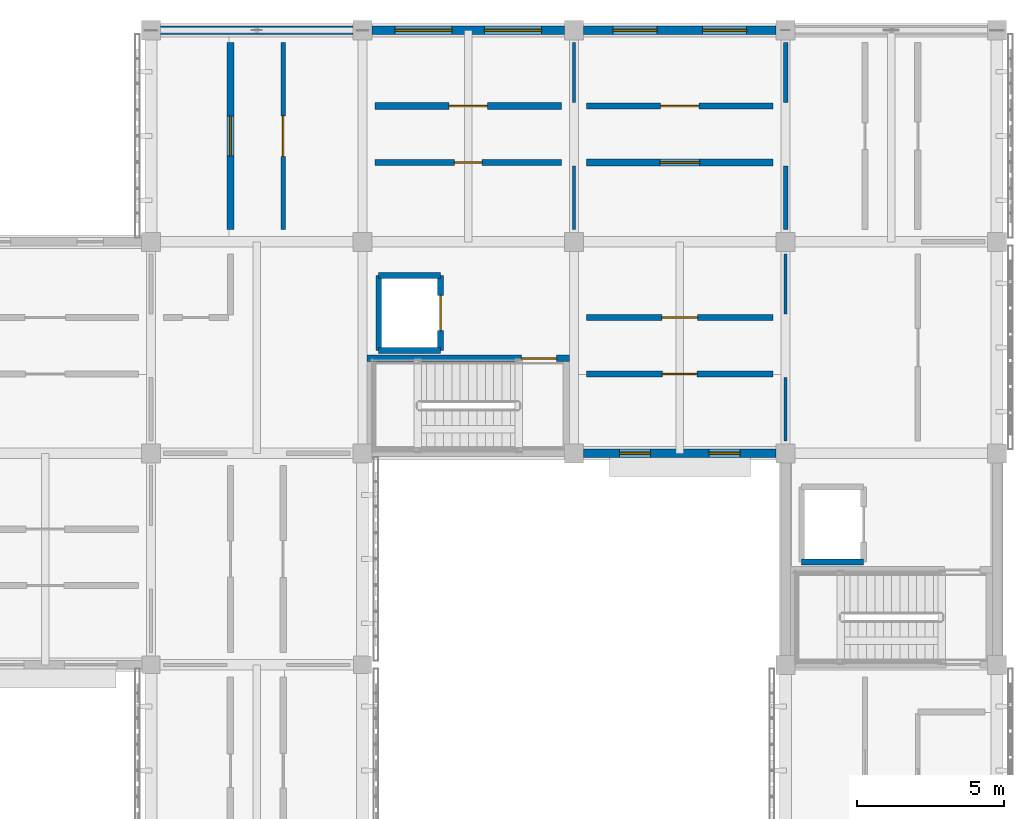
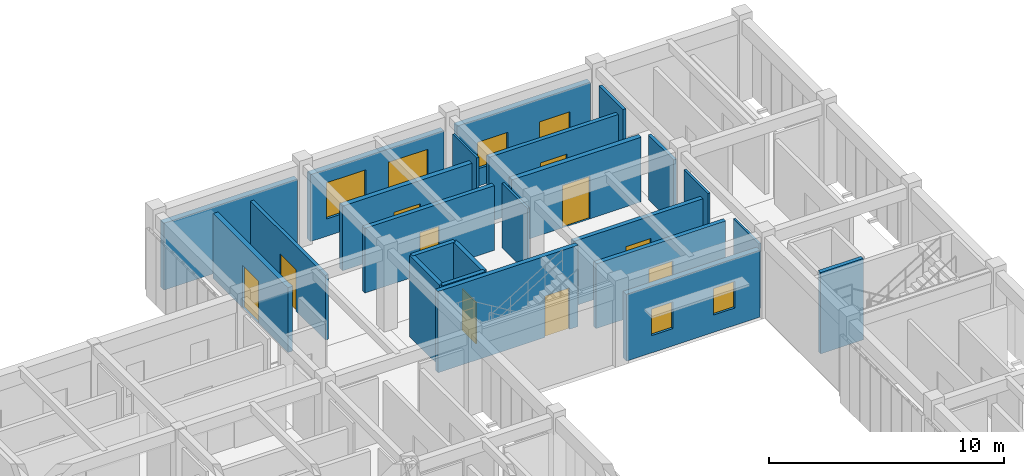
# One storey, part 140 of 171: 24 walls, 10 doors, 6 windows, 16 openings.
"""IFC4 building model written with IfcOpenShell, lengths in metres."""

from ifc_helpers import new_model, si_unit, direction, frame, frame_2d, origin, place, context, subcontext, project, spatial, rectangle, extrude, material, layer, layer_set, type_object, element, fill, save


model = new_model("IFC4")

# Units and contexts
model_context = context("Model", 3, precision=1e-05, world=origin(), true_north=direction((0.0, 1.0)))
body_context = subcontext(model_context, "Body", "Model", "MODEL_VIEW")
ifc_project = project(units=[si_unit("LENGTHUNIT", "METRE"), si_unit("AREAUNIT", "SQUARE_METRE"), si_unit("VOLUMEUNIT", "CUBIC_METRE"), si_unit("PLANEANGLEUNIT", "RADIAN"), si_unit("MASSUNIT", "GRAM", prefix="KILO")], contexts=[model_context])

# Site, building, storey
site_placement = place(None, origin())
site = spatial("IfcSite", under=ifc_project, at=site_placement, CompositionType="ELEMENT")
building_placement = place(site_placement, origin())
building = spatial("IfcBuilding", under=site, at=building_placement, Name="Aldebral Square Health Centre", CompositionType="ELEMENT")
storey_placement = place(building_placement, frame((0.0, 0.0, 4.5)))
storey = spatial("IfcBuildingStorey", under=building, at=storey_placement, Name="L01", CompositionType="ELEMENT", Elevation=4.5)

# Wall
ifc_material_1 = material(Name="Ochre mineral-rendered concrete C35/45 court wall", Category="concrete")
ifc_layer_1 = layer(ifc_material_1, 0.280029296875, Name="Ochre mineral-rendered concrete C35/45 court wall", Category="concrete")
ifc_layer_set_1 = layer_set([ifc_layer_1], Name="Ochre mineral-rendered concrete C35/45 court wall")
wall_type_1 = type_object("IfcWallType", Name="EW-OCH-280", PredefinedType="STANDARD", material=ifc_layer_set_1)
wall_1_placement = place(storey_placement, frame((143.675048828125, 115.199951171875, 0.0), z_axis=(0.0, 0.0, 1.0), x_axis=(-1.0, 0.0, 0.0)))
element("IfcWall", 1, at=wall_1_placement, inside=storey, type_object=wall_type_1, Name="L01 V5 exterior wall L01-V5-19-15-N", PredefinedType="STANDARD", context=body_context, shape_type="SweptSolid", body=[
    extrude(rectangle(XDim=6.550048828125, YDim=0.280029296875, at=frame_2d((3.27490234375, 0.0))), origin(), (0.0, 0.0, 1.0), 3.469970703125),
])

# Wall, openings, windows
wall_2_placement = place(storey_placement, frame((150.875, 115.199951171875, 0.0), z_axis=(0.0, 0.0, 1.0), x_axis=(-1.0, 0.0, 0.0)))
wall_2 = element("IfcWall", 2, at=wall_2_placement, inside=storey, type_object=wall_type_1, Name="L01 V5 exterior wall L01-V5-20-15-N", PredefinedType="STANDARD", context=body_context, shape_type="SweptSolid", body=[
    extrude(rectangle(XDim=6.550048828125, YDim=0.280029296875, at=frame_2d((3.27490234375, 0.0))), origin(), (0.0, 0.0, 1.0), 3.469970703125),
])
opening_1_placement = place(wall_2_placement, frame((0.77490234375, 0.0, 0.89990234375)))
opening_1 = element("IfcOpeningElement", 3, at=opening_1_placement, cuts=wall_2, Name="Opening W53", PredefinedType="OPENING", context=body_context, shape_type="SweptSolid", body=[
    extrude(rectangle(XDim=1.949951171875, YDim=1.8798828125, at=frame_2d((0.97509765625, 0.93994140625))), frame((0.0, 0.14990234375, 0.0), z_axis=(0.0, -1.0, 0.0), x_axis=(1.0, 0.0, 0.0)), (0.0, 0.0, 1.0), 0.300048828125),
])
opening_2_placement = place(wall_2_placement, frame((3.824951171875, 0.0, 0.89990234375)))
opening_2 = element("IfcOpeningElement", 4, at=opening_2_placement, cuts=wall_2, Name="Opening W53", PredefinedType="OPENING", context=body_context, shape_type="SweptSolid", body=[
    extrude(rectangle(XDim=1.949951171875, YDim=1.8798828125, at=frame_2d((0.97509765625, 0.93994140625))), frame((0.0, 0.14990234375, 0.0), z_axis=(0.0, -1.0, 0.0), x_axis=(1.0, 0.0, 0.0)), (0.0, 0.0, 1.0), 0.300048828125),
])
ifc_material_2 = material(Name="Thermally broken aluminium and low-E glass", Category="aluminium")
window_type_1 = type_object("IfcWindowType", Name="WIN-W53", PartitioningType="SINGLE_PANEL", PredefinedType="WINDOW", material=ifc_material_2)
window_1_placement = place(opening_1_placement, origin())
window_1 = element("IfcWindow", 5, at=window_1_placement, inside=storey, type_object=window_type_1, Name="L01 clinical window L01-V5-20-15-N.1", OverallHeight=1.8798828125, OverallWidth=1.949951171875, PartitioningType="SINGLE_PANEL", PredefinedType="WINDOW", context=body_context, shape_type="SweptSolid", body=[
    extrude(rectangle(XDim=1.949951171875, YDim=1.8798828125, at=frame_2d((0.97509765625, 0.93994140625))), frame((0.0, 0.030029296875, 0.0), z_axis=(0.0, -1.0, 0.0), x_axis=(1.0, 0.0, 0.0)), (0.0, 0.0, 1.0), 0.06005859375),
])
fill(opening_1, window_1)
window_2_placement = place(opening_2_placement, origin())
window_2 = element("IfcWindow", 6, at=window_2_placement, inside=storey, type_object=window_type_1, Name="L01 clinical window L01-V5-20-15-N.2", OverallHeight=1.8798828125, OverallWidth=1.949951171875, PartitioningType="SINGLE_PANEL", PredefinedType="WINDOW", context=body_context, shape_type="SweptSolid", body=[
    extrude(rectangle(XDim=1.949951171875, YDim=1.8798828125, at=frame_2d((0.97509765625, 0.93994140625))), frame((0.0, 0.030029296875, 0.0), z_axis=(0.0, -1.0, 0.0), x_axis=(1.0, 0.0, 0.0)), (0.0, 0.0, 1.0), 0.06005859375),
])
fill(opening_2, window_2)

wall_3_placement = place(storey_placement, frame((151.52490234375, 100.800048828125, 0.0), z_axis=(0.0, 0.0, 1.0), x_axis=(1.0, 0.0, 0.0)))
wall_3 = element("IfcWall", 7, at=wall_3_placement, inside=storey, type_object=wall_type_1, Name="L01 V5 exterior wall L01-V5-21-14-S", PredefinedType="STANDARD", context=body_context, shape_type="SweptSolid", body=[
    extrude(rectangle(XDim=6.550048828125, YDim=0.280029296875, at=frame_2d((3.27490234375, 0.0))), origin(), (0.0, 0.0, 1.0), 3.469970703125),
])
opening_3_placement = place(wall_3_placement, frame((1.22509765625, 0.0, 0.89990234375)))
opening_3 = element("IfcOpeningElement", 8, at=opening_3_placement, cuts=wall_3, Name="Opening W11", PredefinedType="OPENING", context=body_context, shape_type="SweptSolid", body=[
    extrude(rectangle(XDim=1.050048828125, YDim=1.3798828125, at=frame_2d((0.52490234375, 0.68994140625))), frame((0.0, 0.14990234375, 0.0), z_axis=(0.0, -1.0, 0.0), x_axis=(1.0, 0.0, 0.0)), (0.0, 0.0, 1.0), 0.300048828125),
])
opening_4_placement = place(wall_3_placement, frame((4.27490234375, 0.0, 0.89990234375)))
opening_4 = element("IfcOpeningElement", 9, at=opening_4_placement, cuts=wall_3, Name="Opening W11", PredefinedType="OPENING", context=body_context, shape_type="SweptSolid", body=[
    extrude(rectangle(XDim=1.050048828125, YDim=1.3798828125, at=frame_2d((0.52490234375, 0.68994140625))), frame((0.0, 0.14990234375, 0.0), z_axis=(0.0, -1.0, 0.0), x_axis=(1.0, 0.0, 0.0)), (0.0, 0.0, 1.0), 0.300048828125),
])
window_type_2 = type_object("IfcWindowType", Name="WIN-W11", PartitioningType="SINGLE_PANEL", PredefinedType="WINDOW", material=ifc_material_2)
window_3_placement = place(opening_3_placement, origin())
window_3 = element("IfcWindow", 10, at=window_3_placement, inside=storey, type_object=window_type_2, Name="L01 clinical window L01-V5-21-14-S.1", OverallHeight=1.3798828125, OverallWidth=1.050048828125, PartitioningType="SINGLE_PANEL", PredefinedType="WINDOW", context=body_context, shape_type="SweptSolid", body=[
    extrude(rectangle(XDim=1.050048828125, YDim=1.3798828125, at=frame_2d((0.52490234375, 0.68994140625))), frame((0.0, 0.030029296875, 0.0), z_axis=(0.0, -1.0, 0.0), x_axis=(1.0, 0.0, 0.0)), (0.0, 0.0, 1.0), 0.06005859375),
])
fill(opening_3, window_3)
window_4_placement = place(opening_4_placement, origin())
window_4 = element("IfcWindow", 11, at=window_4_placement, inside=storey, type_object=window_type_2, Name="L01 clinical window L01-V5-21-14-S.2", OverallHeight=1.3798828125, OverallWidth=1.050048828125, PartitioningType="SINGLE_PANEL", PredefinedType="WINDOW", context=body_context, shape_type="SweptSolid", body=[
    extrude(rectangle(XDim=1.050048828125, YDim=1.3798828125, at=frame_2d((0.52490234375, 0.68994140625))), frame((0.0, 0.030029296875, 0.0), z_axis=(0.0, -1.0, 0.0), x_axis=(1.0, 0.0, 0.0)), (0.0, 0.0, 1.0), 0.06005859375),
])
fill(opening_4, window_4)

wall_4_placement = place(storey_placement, frame((158.074951171875, 115.199951171875, 0.0), z_axis=(0.0, 0.0, 1.0), x_axis=(-1.0, 0.0, 0.0)))
wall_4 = element("IfcWall", 12, at=wall_4_placement, inside=storey, type_object=wall_type_1, Name="L01 V5 exterior wall L01-V5-21-15-N", PredefinedType="STANDARD", context=body_context, shape_type="SweptSolid", body=[
    extrude(rectangle(XDim=6.550048828125, YDim=0.280029296875, at=frame_2d((3.27490234375, 0.0))), origin(), (0.0, 0.0, 1.0), 3.469970703125),
])
opening_5_placement = place(wall_4_placement, frame((1.0, 0.0, 0.89990234375)))
opening_5 = element("IfcOpeningElement", 13, at=opening_5_placement, cuts=wall_4, Name="Opening W14", PredefinedType="OPENING", context=body_context, shape_type="SweptSolid", body=[
    extrude(rectangle(XDim=1.5, YDim=1.3798828125, at=frame_2d((0.75, 0.68994140625))), frame((0.0, 0.14990234375, 0.0), z_axis=(0.0, -1.0, 0.0), x_axis=(1.0, 0.0, 0.0)), (0.0, 0.0, 1.0), 0.300048828125),
])
opening_6_placement = place(wall_4_placement, frame((4.050048828125, 0.0, 0.89990234375)))
opening_6 = element("IfcOpeningElement", 14, at=opening_6_placement, cuts=wall_4, Name="Opening W14", PredefinedType="OPENING", context=body_context, shape_type="SweptSolid", body=[
    extrude(rectangle(XDim=1.5, YDim=1.3798828125, at=frame_2d((0.75, 0.68994140625))), frame((0.0, 0.14990234375, 0.0), z_axis=(0.0, -1.0, 0.0), x_axis=(1.0, 0.0, 0.0)), (0.0, 0.0, 1.0), 0.300048828125),
])
window_type_3 = type_object("IfcWindowType", Name="WIN-W14", PartitioningType="SINGLE_PANEL", PredefinedType="WINDOW", material=ifc_material_2)
window_5_placement = place(opening_5_placement, origin())
window_5 = element("IfcWindow", 15, at=window_5_placement, inside=storey, type_object=window_type_3, Name="L01 clinical window L01-V5-21-15-N.1", OverallHeight=1.3798828125, OverallWidth=1.5, PartitioningType="SINGLE_PANEL", PredefinedType="WINDOW", context=body_context, shape_type="SweptSolid", body=[
    extrude(rectangle(XDim=1.5, YDim=1.3798828125, at=frame_2d((0.75, 0.68994140625))), frame((0.0, 0.030029296875, 0.0), z_axis=(0.0, -1.0, 0.0), x_axis=(1.0, 0.0, 0.0)), (0.0, 0.0, 1.0), 0.06005859375),
])
fill(opening_5, window_5)
window_6_placement = place(opening_6_placement, origin())
window_6 = element("IfcWindow", 16, at=window_6_placement, inside=storey, type_object=window_type_3, Name="L01 clinical window L01-V5-21-15-N.2", OverallHeight=1.3798828125, OverallWidth=1.5, PartitioningType="SINGLE_PANEL", PredefinedType="WINDOW", context=body_context, shape_type="SweptSolid", body=[
    extrude(rectangle(XDim=1.5, YDim=1.3798828125, at=frame_2d((0.75, 0.68994140625))), frame((0.0, 0.030029296875, 0.0), z_axis=(0.0, -1.0, 0.0), x_axis=(1.0, 0.0, 0.0)), (0.0, 0.0, 1.0), 0.06005859375),
])
fill(opening_6, window_6)

# Wall, opening, door
ifc_material_3 = material(Name="Concrete C35/45 compartment wall", Category="concrete")
ifc_layer_2 = layer(ifc_material_3, 0.199951171875, Name="Concrete C35/45 compartment wall", Category="concrete")
ifc_layer_set_2 = layer_set([ifc_layer_2], Name="Concrete C35/45 compartment wall")
wall_type_2 = type_object("IfcWallType", Name="IW-CMP-200", PredefinedType="SOLIDWALL", material=ifc_layer_set_2)
wall_5_placement = place(storey_placement, frame((151.6201171875, 112.6201171875, 0.0), z_axis=(0.0, 0.0, 1.0), x_axis=(1.0, 0.0, 0.0)))
wall_5 = element("IfcWall", 17, at=wall_5_placement, inside=storey, type_object=wall_type_2, Name="L01 Pulmonary Function Clinic 22.16N corridor wall", PredefinedType="SOLIDWALL", context=body_context, shape_type="SweptSolid", body=[
    extrude(rectangle(XDim=6.35986328125, YDim=0.199951171875, at=frame_2d((3.179931640625, 0.0))), origin(), (0.0, 0.0, 1.0), 3.360107421875),
])
opening_7_placement = place(wall_5_placement, frame((2.530029296875, 0.0, 0.0)))
opening_7 = element("IfcOpeningElement", 18, at=opening_7_placement, cuts=wall_5, Name="Opening D-0349", PredefinedType="OPENING", context=body_context, shape_type="SweptSolid", body=[
    extrude(rectangle(XDim=1.300048828125, YDim=2.18994140625, at=frame_2d((0.64990234375, 1.094970703125))), frame((0.0, 0.10986328125, 0.0), z_axis=(0.0, -1.0, 0.0), x_axis=(1.0, 0.0, 0.0)), (0.0, 0.0, 1.0), 0.219970703125),
])
ifc_material_4 = material(Name="Clinical suite fire door")
door_type_1 = type_object("IfcDoorType", Name="ID-EXD-58", OperationType="NOTDEFINED", PredefinedType="DOOR", material=ifc_material_4)
door_1_placement = place(opening_7_placement, origin())
door_1 = element("IfcDoor", 19, at=door_1_placement, inside=storey, type_object=door_type_1, Name="L01 Pulmonary Function Clinic 22.16N door", OperationType="SINGLE_SWING_RIGHT", OverallHeight=2.18994140625, OverallWidth=1.300048828125, PredefinedType="DOOR", context=body_context, shape_type="SweptSolid", body=[
    extrude(rectangle(XDim=1.300048828125, YDim=2.18994140625, at=frame_2d((0.64990234375, 1.094970703125))), frame((0.0, 0.02490234375, 0.0), z_axis=(0.0, -1.0, 0.0), x_axis=(1.0, 0.0, 0.0)), (0.0, 0.0, 1.0), 0.050048828125),
])
fill(opening_7, door_1)

ifc_material_5 = material(Name="Fire-rated acoustic gypsum partition")
ifc_layer_3 = layer(ifc_material_5, 0.1650390625, Name="Fire-rated acoustic gypsum partition")
ifc_layer_set_3 = layer_set([ifc_layer_3], Name="Fire-rated acoustic gypsum partition")
wall_type_3 = type_object("IfcWallType", Name="IW-COR-165", PredefinedType="PARTITIONING", material=ifc_layer_set_3)
wall_6_placement = place(storey_placement, frame((141.300048828125, 108.419921875, 0.0), z_axis=(0.0, 0.0, 1.0), x_axis=(0.0, 1.0, 0.0)))
wall_6 = element("IfcWall", 20, at=wall_6_placement, inside=storey, type_object=wall_type_3, Name="L01 Pulmonary Function Clinic 20.16E corridor wall", PredefinedType="PARTITIONING", context=body_context, shape_type="SweptSolid", body=[
    extrude(rectangle(XDim=6.360107421875, YDim=0.1650390625, at=frame_2d((3.18017578125, 0.0))), origin(), (0.0, 0.0, 1.0), 3.360107421875),
])
opening_8_placement = place(wall_6_placement, frame((2.489990234375, 0.0, 0.0)))
opening_8 = element("IfcOpeningElement", 21, at=opening_8_placement, cuts=wall_6, Name="Opening D-0335", PredefinedType="OPENING", context=body_context, shape_type="SweptSolid", body=[
    extrude(rectangle(XDim=1.3798828125, YDim=2.139892578125, at=frame_2d((0.68994140625, 1.06982421875))), frame((0.0, 0.092529296875, 0.0), z_axis=(0.0, -1.0, 0.0), x_axis=(1.0, 0.0, 0.0)), (0.0, 0.0, 1.0), 0.18505859375),
])
door_type_2 = type_object("IfcDoorType", Name="ID-EXD-44", OperationType="NOTDEFINED", PredefinedType="DOOR", material=ifc_material_4)
door_2_placement = place(opening_8_placement, origin())
door_2 = element("IfcDoor", 22, at=door_2_placement, inside=storey, type_object=door_type_2, Name="L01 Pulmonary Function Clinic 20.16E door", OperationType="SINGLE_SWING_RIGHT", OverallHeight=2.139892578125, OverallWidth=1.3798828125, PredefinedType="DOOR", context=body_context, shape_type="SweptSolid", body=[
    extrude(rectangle(XDim=1.3798828125, YDim=2.139892578125, at=frame_2d((0.68994140625, 1.06982421875))), frame((0.0, 0.02490234375, 0.0), z_axis=(0.0, -1.0, 0.0), x_axis=(1.0, 0.0, 0.0)), (0.0, 0.0, 1.0), 0.050048828125),
])
fill(opening_8, door_2)

ifc_material_6 = material(Name="Concrete C40/50", Category="concrete")
ifc_layer_4 = layer(ifc_material_6, 0.219970703125, Name="Concrete C40/50", Category="concrete")
ifc_layer_set_4 = layer_set([ifc_layer_4], Name="Concrete C40/50")
wall_type_4 = type_object("IfcWallType", Name="IW-CORE-280", PredefinedType="SHEAR", material=ifc_layer_set_4)
wall_7_placement = place(storey_placement, frame((144.159912109375, 104.030029296875, 0.0), z_axis=(0.0, 0.0, 1.0), x_axis=(1.0, 0.0, 0.0)))
wall_7 = element("IfcWall", 23, at=wall_7_placement, inside=storey, type_object=wall_type_4, Name="L01 WC-C4 shaft wall N", PredefinedType="SHEAR", context=body_context, shape_type="SweptSolid", body=[
    extrude(rectangle(XDim=6.880126953125, YDim=0.219970703125, at=frame_2d((3.43994140625, 0.0))), origin(), (0.0, 0.0, 1.0), 4.219970703125),
])
opening_9_placement = place(wall_7_placement, frame((5.25, 0.0, 0.0)))
opening_9 = element("IfcOpeningElement", 24, at=opening_9_placement, cuts=wall_7, Name="Opening D-0046", PredefinedType="OPENING", context=body_context, shape_type="SweptSolid", body=[
    extrude(rectangle(XDim=1.199951171875, YDim=2.14990234375, at=frame_2d((0.60009765625, 1.074951171875))), frame((0.0, 0.1201171875, 0.0), z_axis=(0.0, -1.0, 0.0), x_axis=(1.0, 0.0, 0.0)), (0.0, 0.0, 1.0), 0.239990234375),
])
ifc_material_7 = material(Name="Fire-rated steel stair door", Category="steel")
door_type_3 = type_object("IfcDoorType", Name="ID-ST-120", OperationType="NOTDEFINED", PredefinedType="DOOR", material=ifc_material_7)
door_3_placement = place(opening_9_placement, origin())
door_3 = element("IfcDoor", 25, at=door_3_placement, inside=storey, type_object=door_type_3, Name="L01 ST-04 fire door", OperationType="SINGLE_SWING_LEFT", OverallHeight=2.14990234375, OverallWidth=1.199951171875, PredefinedType="DOOR", context=body_context, shape_type="SweptSolid", body=[
    extrude(rectangle(XDim=1.199951171875, YDim=2.14990234375, at=frame_2d((0.60009765625, 1.074951171875))), frame((0.0, 0.02490234375, 0.0), z_axis=(0.0, -1.0, 0.0), x_axis=(1.0, 0.0, 0.0)), (0.0, 0.0, 1.0), 0.050048828125),
])
fill(opening_9, door_3)

# Walls
ifc_layer_5 = layer(ifc_material_6, 0.199951171875, Name="Concrete C40/50", Category="concrete")
ifc_layer_set_5 = layer_set([ifc_layer_5], Name="Concrete C40/50")
wall_type_5 = type_object("IfcWallType", Name="IW-LFT-250", PredefinedType="SHEAR", material=ifc_layer_set_5)
wall_8_placement = place(storey_placement, frame((158.949951171875, 97.10009765625, 0.0), z_axis=(0.0, 0.0, 1.0), x_axis=(1.0, 0.0, 0.0)))
element("IfcWall", 26, at=wall_8_placement, inside=storey, type_object=wall_type_5, Name="L01 LF-03 shaft wall S", PredefinedType="SHEAR", context=body_context, shape_type="SweptSolid", body=[
    extrude(rectangle(XDim=2.10009765625, YDim=0.199951171875, at=frame_2d((1.050048828125, 0.0))), origin(), (0.0, 0.0, 1.0), 4.219970703125),
])
wall_9_placement = place(storey_placement, frame((144.550048828125, 104.300048828125, 0.0), z_axis=(0.0, 0.0, 1.0), x_axis=(1.0, 0.0, 0.0)))
element("IfcWall", 27, at=wall_9_placement, inside=storey, type_object=wall_type_5, Name="L01 LF-04 shaft wall S", PredefinedType="SHEAR", context=body_context, shape_type="SweptSolid", body=[
    extrude(rectangle(XDim=2.099853515625, YDim=0.199951171875, at=frame_2d((1.0498046875, 0.0))), origin(), (0.0, 0.0, 1.0), 4.219970703125),
])
wall_10_placement = place(storey_placement, frame((144.550048828125, 104.300048828125, 0.0), z_axis=(0.0, 0.0, 1.0), x_axis=(0.0, 1.0, 0.0)))
element("IfcWall", 28, at=wall_10_placement, inside=storey, type_object=wall_type_5, Name="L01 LF-04 shaft wall W", PredefinedType="SHEAR", context=body_context, shape_type="SweptSolid", body=[
    extrude(rectangle(XDim=2.550048828125, YDim=0.199951171875, at=frame_2d((1.27490234375, 0.0))), origin(), (0.0, 0.0, 1.0), 4.219970703125),
])
wall_11_placement = place(storey_placement, frame((144.550048828125, 106.85009765625, 0.0), z_axis=(0.0, 0.0, 1.0), x_axis=(1.0, 0.0, 0.0)))
element("IfcWall", 29, at=wall_11_placement, inside=storey, type_object=wall_type_5, Name="L01 LF-04 shaft wall N", PredefinedType="SHEAR", context=body_context, shape_type="SweptSolid", body=[
    extrude(rectangle(XDim=2.099853515625, YDim=0.199951171875, at=frame_2d((1.0498046875, 0.0))), origin(), (0.0, 0.0, 1.0), 4.219970703125),
])

# Wall, opening, door
wall_12_placement = place(storey_placement, frame((146.64990234375, 104.300048828125, 0.0), z_axis=(0.0, 0.0, 1.0), x_axis=(0.0, 1.0, 0.0)))
wall_12 = element("IfcWall", 30, at=wall_12_placement, inside=storey, type_object=wall_type_5, Name="L01 LF-04 landing wall", PredefinedType="SHEAR", context=body_context, shape_type="SweptSolid", body=[
    extrude(rectangle(XDim=2.550048828125, YDim=0.199951171875, at=frame_2d((1.27490234375, 0.0))), origin(), (0.0, 0.0, 1.0), 4.219970703125),
])
opening_10_placement = place(wall_12_placement, frame((0.675048828125, 0.0, 0.0)))
opening_10 = element("IfcOpeningElement", 31, at=opening_10_placement, cuts=wall_12, Name="Opening D-0047", PredefinedType="OPENING", context=body_context, shape_type="SweptSolid", body=[
    extrude(rectangle(XDim=1.199951171875, YDim=2.14990234375, at=frame_2d((0.60009765625, 1.074951171875))), frame((0.0, 0.10986328125, 0.0), z_axis=(0.0, -1.0, 0.0), x_axis=(1.0, 0.0, 0.0)), (0.0, 0.0, 1.0), 0.219970703125),
])
ifc_material_8 = material(Name="Stainless steel passenger lift landing door", Category="steel")
door_type_4 = type_object("IfcDoorType", Name="ID-LD-120", OperationType="SLIDING_TO_LEFT", PredefinedType="DOOR", material=ifc_material_8)
door_4_placement = place(opening_10_placement, origin())
door_4 = element("IfcDoor", 32, at=door_4_placement, inside=storey, type_object=door_type_4, Name="L01 LF-04 sliding landing door", OperationType="SLIDING_TO_LEFT", OverallHeight=2.14990234375, OverallWidth=1.199951171875, PredefinedType="DOOR", context=body_context, shape_type="SweptSolid", body=[
    extrude(rectangle(XDim=1.199951171875, YDim=2.14990234375, at=frame_2d((0.60009765625, 1.074951171875))), frame((0.0, 0.02490234375, 0.0), z_axis=(0.0, -1.0, 0.0), x_axis=(1.0, 0.0, 0.0)), (0.0, 0.0, 1.0), 0.050048828125),
])
fill(opening_10, door_4)

ifc_material_9 = material(Name="Moisture-resistant sanitary chase wall")
ifc_layer_6 = layer(ifc_material_9, 0.2099609375, Name="Moisture-resistant sanitary chase wall")
ifc_layer_set_6 = layer_set([ifc_layer_6], Name="Moisture-resistant sanitary chase wall")
wall_type_6 = type_object("IfcWallType", Name="IW-PLB-210", PredefinedType="PLUMBINGWALL", material=ifc_layer_set_6)
wall_13_placement = place(storey_placement, frame((144.419921875, 110.699951171875, 0.0), z_axis=(0.0, 0.0, 1.0), x_axis=(1.0, 0.0, 0.0)))
wall_13 = element("IfcWall", 33, at=wall_13_placement, inside=storey, type_object=wall_type_6, Name="L01 Patient Toilet 21.16S corridor wall", PredefinedType="PLUMBINGWALL", context=body_context, shape_type="SweptSolid", body=[
    extrude(rectangle(XDim=6.360107421875, YDim=0.2099609375, at=frame_2d((3.18017578125, 0.0))), origin(), (0.0, 0.0, 1.0), 3.360107421875),
])
opening_11_placement = place(wall_13_placement, frame((2.7099609375, 0.0, 0.0)))
opening_11 = element("IfcOpeningElement", 34, at=opening_11_placement, cuts=wall_13, Name="Opening D-0340", PredefinedType="OPENING", context=body_context, shape_type="SweptSolid", body=[
    extrude(rectangle(XDim=0.93994140625, YDim=2.18994140625, at=frame_2d((0.469970703125, 1.094970703125))), frame((0.0, 0.114990234375, 0.0), z_axis=(0.0, -1.0, 0.0), x_axis=(1.0, 0.0, 0.0)), (0.0, 0.0, 1.0), 0.22998046875),
])
door_type_5 = type_object("IfcDoorType", Name="ID-EXD-49", OperationType="NOTDEFINED", PredefinedType="DOOR", material=ifc_material_4)
door_5_placement = place(opening_11_placement, origin())
door_5 = element("IfcDoor", 35, at=door_5_placement, inside=storey, type_object=door_type_5, Name="L01 Patient Toilet 21.16S door", OperationType="SINGLE_SWING_LEFT", OverallHeight=2.18994140625, OverallWidth=0.93994140625, PredefinedType="DOOR", context=body_context, shape_type="SweptSolid", body=[
    extrude(rectangle(XDim=0.93994140625, YDim=2.18994140625, at=frame_2d((0.469970703125, 1.094970703125))), frame((0.0, 0.02490234375, 0.0), z_axis=(0.0, -1.0, 0.0), x_axis=(1.0, 0.0, 0.0)), (0.0, 0.0, 1.0), 0.050048828125),
])
fill(opening_11, door_5)

wall_14_placement = place(storey_placement, frame((151.6201171875, 103.5, 0.0), z_axis=(0.0, 0.0, 1.0), x_axis=(1.0, 0.0, 0.0)))
wall_14 = element("IfcWall", 36, at=wall_14_placement, inside=storey, type_object=wall_type_6, Name="L01 Accessible WC 22.15S corridor wall", PredefinedType="PLUMBINGWALL", context=body_context, shape_type="SweptSolid", body=[
    extrude(rectangle(XDim=6.35986328125, YDim=0.2099609375, at=frame_2d((3.179931640625, 0.0))), origin(), (0.0, 0.0, 1.0), 3.360107421875),
])
opening_12_placement = place(wall_14_placement, frame((2.590087890625, 0.0, 0.0)))
opening_12 = element("IfcOpeningElement", 37, at=opening_12_placement, cuts=wall_14, Name="Opening D-0346", PredefinedType="OPENING", context=body_context, shape_type="SweptSolid", body=[
    extrude(rectangle(XDim=1.179931640625, YDim=2.18994140625, at=frame_2d((0.58984375, 1.094970703125))), frame((0.0, 0.114990234375, 0.0), z_axis=(0.0, -1.0, 0.0), x_axis=(1.0, 0.0, 0.0)), (0.0, 0.0, 1.0), 0.22998046875),
])
door_type_6 = type_object("IfcDoorType", Name="ID-EXD-55", OperationType="NOTDEFINED", PredefinedType="DOOR", material=ifc_material_4)
door_6_placement = place(opening_12_placement, origin())
door_6 = element("IfcDoor", 38, at=door_6_placement, inside=storey, type_object=door_type_6, Name="L01 Accessible WC 22.15S door", OperationType="SINGLE_SWING_LEFT", OverallHeight=2.18994140625, OverallWidth=1.179931640625, PredefinedType="DOOR", context=body_context, shape_type="SweptSolid", body=[
    extrude(rectangle(XDim=1.179931640625, YDim=2.18994140625, at=frame_2d((0.58984375, 1.094970703125))), frame((0.0, 0.02490234375, 0.0), z_axis=(0.0, -1.0, 0.0), x_axis=(1.0, 0.0, 0.0)), (0.0, 0.0, 1.0), 0.050048828125),
])
fill(opening_12, door_6)

wall_15_placement = place(storey_placement, frame((151.6201171875, 105.419921875, 0.0), z_axis=(0.0, 0.0, 1.0), x_axis=(1.0, 0.0, 0.0)))
wall_15 = element("IfcWall", 39, at=wall_15_placement, inside=storey, type_object=wall_type_6, Name="L01 Patient Toilet 22.15N corridor wall", PredefinedType="PLUMBINGWALL", context=body_context, shape_type="SweptSolid", body=[
    extrude(rectangle(XDim=6.35986328125, YDim=0.2099609375, at=frame_2d((3.179931640625, 0.0))), origin(), (0.0, 0.0, 1.0), 3.360107421875),
])
opening_13_placement = place(wall_15_placement, frame((2.570068359375, 0.0, 0.0)))
opening_13 = element("IfcOpeningElement", 40, at=opening_13_placement, cuts=wall_15, Name="Opening D-0347", PredefinedType="OPENING", context=body_context, shape_type="SweptSolid", body=[
    extrude(rectangle(XDim=1.219970703125, YDim=2.18994140625, at=frame_2d((0.60986328125, 1.094970703125))), frame((0.0, 0.114990234375, 0.0), z_axis=(0.0, -1.0, 0.0), x_axis=(1.0, 0.0, 0.0)), (0.0, 0.0, 1.0), 0.22998046875),
])
door_type_7 = type_object("IfcDoorType", Name="ID-EXD-56", OperationType="NOTDEFINED", PredefinedType="DOOR", material=ifc_material_4)
door_7_placement = place(opening_13_placement, origin())
door_7 = element("IfcDoor", 41, at=door_7_placement, inside=storey, type_object=door_type_7, Name="L01 Patient Toilet 22.15N door", OperationType="SINGLE_SWING_RIGHT", OverallHeight=2.18994140625, OverallWidth=1.219970703125, PredefinedType="DOOR", context=body_context, shape_type="SweptSolid", body=[
    extrude(rectangle(XDim=1.219970703125, YDim=2.18994140625, at=frame_2d((0.60986328125, 1.094970703125))), frame((0.0, 0.02490234375, 0.0), z_axis=(0.0, -1.0, 0.0), x_axis=(1.0, 0.0, 0.0)), (0.0, 0.0, 1.0), 0.050048828125),
])
fill(opening_13, door_7)

# Walls
ifc_material_10 = material(Name="Lightweight clinical partition")
ifc_layer_7 = layer(ifc_material_10, 0.10498046875, Name="Lightweight clinical partition")
ifc_layer_set_7 = layer_set([ifc_layer_7], Name="Lightweight clinical partition")
wall_type_7 = type_object("IfcWallType", Name="IW-PRT-105", PredefinedType="PARTITIONING", material=ifc_layer_set_7)
wall_16_placement = place(storey_placement, frame((151.199951171875, 108.419921875, 0.0), z_axis=(0.0, 0.0, 1.0), x_axis=(0.0, 1.0, 0.0)))
element("IfcWall", 42, at=wall_16_placement, inside=storey, type_object=wall_type_7, Name="L01 Patient Toilet 21.16S demising partition", PredefinedType="PARTITIONING", context=body_context, shape_type="SweptSolid", body=[
    extrude(rectangle(XDim=2.16015625, YDim=0.10498046875, at=frame_2d((1.080078125, 0.0))), origin(), (0.0, 0.0, 1.0), 3.360107421875),
])
wall_17_placement = place(storey_placement, frame((151.199951171875, 112.739990234375, 0.0), z_axis=(0.0, 0.0, 1.0), x_axis=(0.0, 1.0, 0.0)))
element("IfcWall", 43, at=wall_17_placement, inside=storey, type_object=wall_type_7, Name="L01 Endoscopy Diagnostic Suite 21.16N demising partition", PredefinedType="PARTITIONING", context=body_context, shape_type="SweptSolid", body=[
    extrude(rectangle(XDim=2.0400390625, YDim=0.10498046875, at=frame_2d((1.02001953125, 0.0))), origin(), (0.0, 0.0, 1.0), 3.360107421875),
])
wall_18_placement = place(storey_placement, frame((158.39990234375, 101.219970703125, 0.0), z_axis=(0.0, 0.0, 1.0), x_axis=(0.0, 1.0, 0.0)))
element("IfcWall", 44, at=wall_18_placement, inside=storey, type_object=wall_type_7, Name="L01 Accessible WC 22.15S demising partition", PredefinedType="PARTITIONING", context=body_context, shape_type="SweptSolid", body=[
    extrude(rectangle(XDim=2.159912109375, YDim=0.10498046875, at=frame_2d((1.080078125, 0.0))), origin(), (0.0, 0.0, 1.0), 3.360107421875),
])
wall_19_placement = place(storey_placement, frame((158.39990234375, 105.5400390625, 0.0), z_axis=(0.0, 0.0, 1.0), x_axis=(0.0, 1.0, 0.0)))
element("IfcWall", 45, at=wall_19_placement, inside=storey, type_object=wall_type_7, Name="L01 Patient Toilet 22.15N demising partition", PredefinedType="PARTITIONING", context=body_context, shape_type="SweptSolid", body=[
    extrude(rectangle(XDim=2.0400390625, YDim=0.10498046875, at=frame_2d((1.02001953125, 0.0))), origin(), (0.0, 0.0, 1.0), 3.360107421875),
])
ifc_material_11 = material(Name="Acoustic clinical gypsum partition")
ifc_layer_8 = layer(ifc_material_11, 0.14990234375, Name="Acoustic clinical gypsum partition")
ifc_layer_set_8 = layer_set([ifc_layer_8], Name="Acoustic clinical gypsum partition")
wall_type_8 = type_object("IfcWallType", Name="IW-PRT-150", PredefinedType="PARTITIONING", material=ifc_layer_set_8)
wall_20_placement = place(storey_placement, frame((158.39990234375, 108.419921875, 0.0), z_axis=(0.0, 0.0, 1.0), x_axis=(0.0, 1.0, 0.0)))
element("IfcWall", 46, at=wall_20_placement, inside=storey, type_object=wall_type_8, Name="L01 Endoscopy Diagnostic Suite 22.16S demising partition", PredefinedType="PARTITIONING", context=body_context, shape_type="SweptSolid", body=[
    extrude(rectangle(XDim=2.16015625, YDim=0.14990234375, at=frame_2d((1.080078125, 0.0))), origin(), (0.0, 0.0, 1.0), 3.360107421875),
])
wall_21_placement = place(storey_placement, frame((158.39990234375, 112.739990234375, 0.0), z_axis=(0.0, 0.0, 1.0), x_axis=(0.0, 1.0, 0.0)))
element("IfcWall", 47, at=wall_21_placement, inside=storey, type_object=wall_type_8, Name="L01 Pulmonary Function Clinic 22.16N demising partition", PredefinedType="PARTITIONING", context=body_context, shape_type="SweptSolid", body=[
    extrude(rectangle(XDim=2.0400390625, YDim=0.14990234375, at=frame_2d((1.02001953125, 0.0))), origin(), (0.0, 0.0, 1.0), 3.360107421875),
])

# Wall, opening, door
ifc_material_12 = material(Name="Lead-lined gypsum and concrete C35/45 barrier", Category="concrete")
ifc_layer_9 = layer(ifc_material_12, 0.239990234375, Name="Lead-lined gypsum and concrete C35/45 barrier", Category="concrete")
ifc_layer_set_9 = layer_set([ifc_layer_9], Name="Lead-lined gypsum and concrete C35/45 barrier")
wall_type_9 = type_object("IfcWallType", Name="IW-RAD-240", PredefinedType="SOLIDWALL", material=ifc_layer_set_9)
wall_22_placement = place(storey_placement, frame((139.5, 108.419921875, 0.0), z_axis=(0.0, 0.0, 1.0), x_axis=(0.0, 1.0, 0.0)))
wall_22 = element("IfcWall", 48, at=wall_22_placement, inside=storey, type_object=wall_type_9, Name="L01 Endoscopy Diagnostic Suite 20.16W corridor wall", PredefinedType="SOLIDWALL", context=body_context, shape_type="SweptSolid", body=[
    extrude(rectangle(XDim=6.360107421875, YDim=0.239990234375, at=frame_2d((3.18017578125, 0.0))), origin(), (0.0, 0.0, 1.0), 3.360107421875),
])
opening_14_placement = place(wall_22_placement, frame((2.5048828125, 0.0, 0.0)))
opening_14 = element("IfcOpeningElement", 49, at=opening_14_placement, cuts=wall_22, Name="Opening D-0334", PredefinedType="OPENING", context=body_context, shape_type="SweptSolid", body=[
    extrude(rectangle(XDim=1.35009765625, YDim=2.199951171875, at=frame_2d((0.675048828125, 1.10009765625))), frame((0.0, 0.1298828125, 0.0), z_axis=(0.0, -1.0, 0.0), x_axis=(1.0, 0.0, 0.0)), (0.0, 0.0, 1.0), 0.260009765625),
])
ifc_material_13 = material(Name="Lead-lined imaging suite door")
door_type_8 = type_object("IfcDoorType", Name="ID-IM-135", OperationType="NOTDEFINED", PredefinedType="DOOR", material=ifc_material_13)
door_8_placement = place(opening_14_placement, origin())
door_8 = element("IfcDoor", 50, at=door_8_placement, inside=storey, type_object=door_type_8, Name="L01 Endoscopy Diagnostic Suite 20.16W door", OperationType="SINGLE_SWING_LEFT", OverallHeight=2.199951171875, OverallWidth=1.35009765625, PredefinedType="DOOR", context=body_context, shape_type="SweptSolid", body=[
    extrude(rectangle(XDim=1.35009765625, YDim=2.199951171875, at=frame_2d((0.675048828125, 1.10009765625))), frame((0.0, 0.02490234375, 0.0), z_axis=(0.0, -1.0, 0.0), x_axis=(1.0, 0.0, 0.0)), (0.0, 0.0, 1.0), 0.050048828125),
])
fill(opening_14, door_8)

wall_23_placement = place(storey_placement, frame((144.419921875, 112.6201171875, 0.0), z_axis=(0.0, 0.0, 1.0), x_axis=(1.0, 0.0, 0.0)))
wall_23 = element("IfcWall", 51, at=wall_23_placement, inside=storey, type_object=wall_type_9, Name="L01 Endoscopy Diagnostic Suite 21.16N corridor wall", PredefinedType="SOLIDWALL", context=body_context, shape_type="SweptSolid", body=[
    extrude(rectangle(XDim=6.360107421875, YDim=0.239990234375, at=frame_2d((3.18017578125, 0.0))), origin(), (0.0, 0.0, 1.0), 3.360107421875),
])
opening_15_placement = place(wall_23_placement, frame((2.530029296875, 0.0, 0.0)))
opening_15 = element("IfcOpeningElement", 52, at=opening_15_placement, cuts=wall_23, Name="Opening D-0341", PredefinedType="OPENING", context=body_context, shape_type="SweptSolid", body=[
    extrude(rectangle(XDim=1.300048828125, YDim=2.14990234375, at=frame_2d((0.64990234375, 1.074951171875))), frame((0.0, 0.1298828125, 0.0), z_axis=(0.0, -1.0, 0.0), x_axis=(1.0, 0.0, 0.0)), (0.0, 0.0, 1.0), 0.260009765625),
])
ifc_material_14 = material(Name="Radiography shielded fire door")
door_type_9 = type_object("IfcDoorType", Name="ID-IM-130", OperationType="NOTDEFINED", PredefinedType="DOOR", material=ifc_material_14)
door_9_placement = place(opening_15_placement, origin())
door_9 = element("IfcDoor", 53, at=door_9_placement, inside=storey, type_object=door_type_9, Name="L01 Endoscopy Diagnostic Suite 21.16N door", OperationType="SINGLE_SWING_RIGHT", OverallHeight=2.14990234375, OverallWidth=1.300048828125, PredefinedType="DOOR", context=body_context, shape_type="SweptSolid", body=[
    extrude(rectangle(XDim=1.300048828125, YDim=2.14990234375, at=frame_2d((0.64990234375, 1.074951171875))), frame((0.0, 0.02490234375, 0.0), z_axis=(0.0, -1.0, 0.0), x_axis=(1.0, 0.0, 0.0)), (0.0, 0.0, 1.0), 0.050048828125),
])
fill(opening_15, door_9)

wall_24_placement = place(storey_placement, frame((151.6201171875, 110.699951171875, 0.0), z_axis=(0.0, 0.0, 1.0), x_axis=(1.0, 0.0, 0.0)))
wall_24 = element("IfcWall", 54, at=wall_24_placement, inside=storey, type_object=wall_type_9, Name="L01 Endoscopy Diagnostic Suite 22.16S corridor wall", PredefinedType="SOLIDWALL", context=body_context, shape_type="SweptSolid", body=[
    extrude(rectangle(XDim=6.35986328125, YDim=0.239990234375, at=frame_2d((3.179931640625, 0.0))), origin(), (0.0, 0.0, 1.0), 3.360107421875),
])
opening_16_placement = place(wall_24_placement, frame((2.5048828125, 0.0, 0.0)))
opening_16 = element("IfcOpeningElement", 55, at=opening_16_placement, cuts=wall_24, Name="Opening D-0348", PredefinedType="OPENING", context=body_context, shape_type="SweptSolid", body=[
    extrude(rectangle(XDim=1.35009765625, YDim=2.199951171875, at=frame_2d((0.675048828125, 1.10009765625))), frame((0.0, 0.1298828125, 0.0), z_axis=(0.0, -1.0, 0.0), x_axis=(1.0, 0.0, 0.0)), (0.0, 0.0, 1.0), 0.260009765625),
])
door_10_placement = place(opening_16_placement, origin())
door_10 = element("IfcDoor", 56, at=door_10_placement, inside=storey, type_object=door_type_8, Name="L01 Endoscopy Diagnostic Suite 22.16S door", OperationType="SINGLE_SWING_LEFT", OverallHeight=2.199951171875, OverallWidth=1.35009765625, PredefinedType="DOOR", context=body_context, shape_type="SweptSolid", body=[
    extrude(rectangle(XDim=1.35009765625, YDim=2.199951171875, at=frame_2d((0.675048828125, 1.10009765625))), frame((0.0, 0.02490234375, 0.0), z_axis=(0.0, -1.0, 0.0), x_axis=(1.0, 0.0, 0.0)), (0.0, 0.0, 1.0), 0.050048828125),
])
fill(opening_16, door_10)

save(model, "model.ifc")
